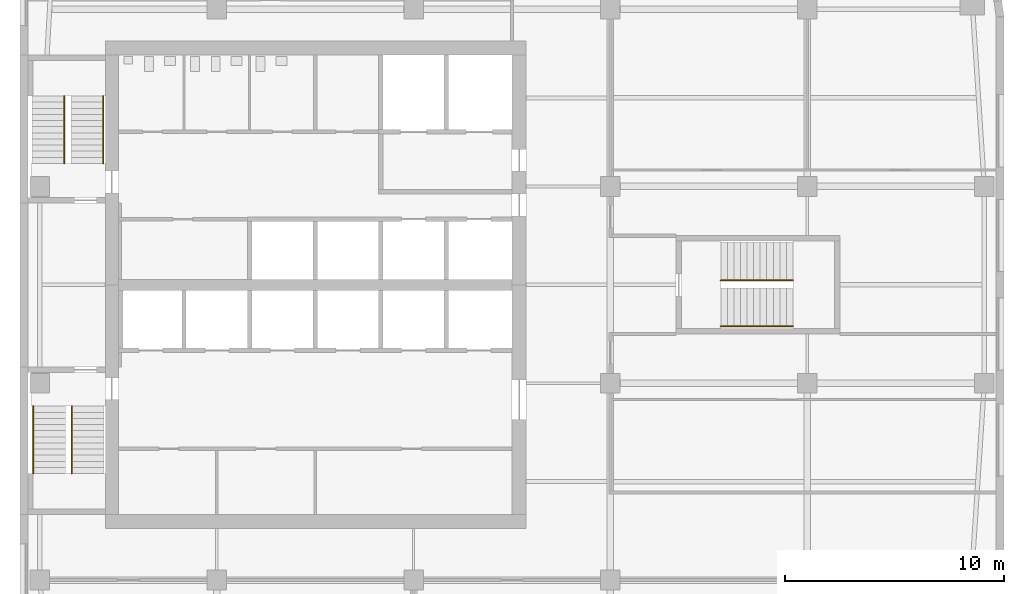
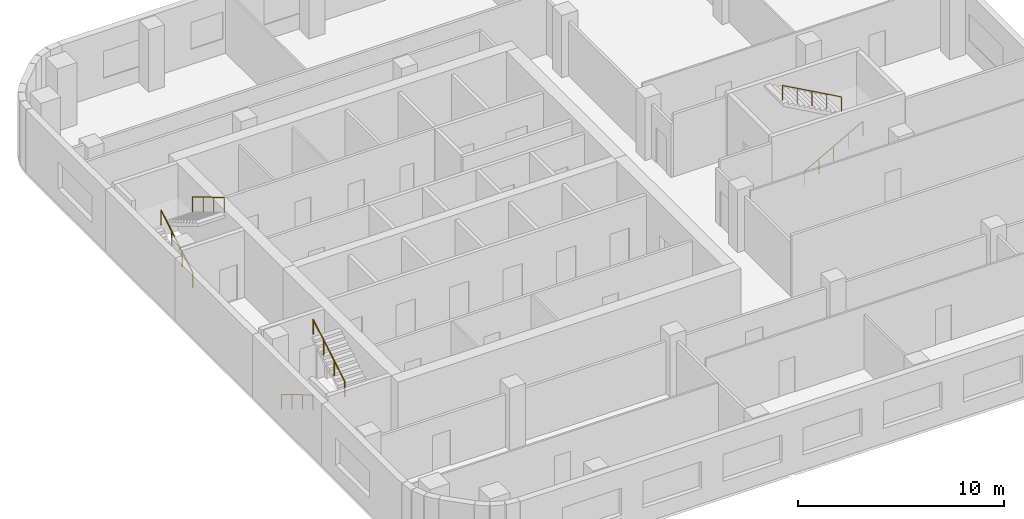
# One storey, part 7 of 8: 6 railings, 3 elements without a shape of their own.
"""IFC4 building model written with IfcOpenShell, lengths in metres."""

from ifc_helpers import new_model, si_unit, direction, frame, origin, origin_2d, place, context, subcontext, project, spatial, circle, extrude, material, type_object, element, aggregate, save


model = new_model("IFC4")

# Units and contexts
model_context = context("Model", 3, precision=1e-05, world=origin(), true_north=direction((0.0, 1.0)))
body_context = subcontext(model_context, "Body", "Model", "MODEL_VIEW")
ifc_project = project(units=[si_unit("LENGTHUNIT", "METRE"), si_unit("AREAUNIT", "SQUARE_METRE"), si_unit("VOLUMEUNIT", "CUBIC_METRE"), si_unit("PLANEANGLEUNIT", "RADIAN"), si_unit("MASSUNIT", "GRAM", prefix="KILO")], contexts=[model_context])

# Site, building, storey
site_placement = place(None, origin())
site = spatial("IfcSite", under=ifc_project, at=site_placement, CompositionType="ELEMENT")
building_placement = place(site_placement, origin())
building = spatial("IfcBuilding", under=site, at=building_placement, Name="Cinnabar Reach Civic Tower", CompositionType="ELEMENT")
storey_placement = place(building_placement, frame((0.0, 0.0, 189.0)))
storey = spatial("IfcBuildingStorey", under=building, at=storey_placement, Name="L45", CompositionType="ELEMENT", Elevation=189.0)

# Stair, railings
ifc_material_1 = material(Name="Concrete C40/50", Category="concrete")
stair_type = type_object("IfcStairType", Name="T1 Exit stair, half-turn", PredefinedType="HALF_TURN_STAIR", material=ifc_material_1)
stair_1_placement = place(storey_placement, origin())
stair_1 = element("IfcStair", 1, at=stair_1_placement, inside=storey, type_object=stair_type, Name="Stair T1-S1", PredefinedType="HALF_TURN_STAIR")
ifc_material_2 = material(Name="Stainless steel tube", Category="steel")
railing_type = type_object("IfcRailingType", Name="T1 Stair handrail, stainless tube 48", PredefinedType="HANDRAIL", material=ifc_material_2)
railing_1_placement = place(storey_placement, frame((0.6, 25.95, 0.1667)))
railing_1 = element("IfcRailing", 2, at=railing_1_placement, type_object=railing_type, Name="T1-S1 handrail 1", PredefinedType="HANDRAIL", context=body_context, shape_type="SweptSolid", body=[
    extrude(circle(Radius=0.024, at=origin_2d()), frame((0.0, 0.0, 0.876), z_axis=(0.0, -0.859296971757, 0.511476992962), x_axis=(1.0, 0.0, 0.0)), (0.0, 0.0, 1.0), 3.5843),
    extrude(circle(Radius=0.021, at=origin_2d()), origin(), (0.0, 0.0, 1.0), 0.852),
    extrude(circle(Radius=0.021, at=origin_2d()), frame((0.0, -1.0267, 0.6111)), (0.0, 0.0, 1.0), 0.852),
    extrude(circle(Radius=0.021, at=origin_2d()), frame((0.0, -2.0533, 1.2222)), (0.0, 0.0, 1.0), 0.852),
    extrude(circle(Radius=0.021, at=origin_2d()), frame((0.0, -3.08, 1.8333)), (0.0, 0.0, 1.0), 0.852),
])
railing_2_placement = place(storey_placement, frame((2.375, 22.87, 2.1667)))
railing_2 = element("IfcRailing", 3, at=railing_2_placement, type_object=railing_type, Name="T1-S1 handrail 2", PredefinedType="HANDRAIL", context=body_context, shape_type="SweptSolid", body=[
    extrude(circle(Radius=0.024, at=origin_2d()), frame((0.0, 0.0, 0.876), z_axis=(0.0, 0.859296971757, 0.511476992962), x_axis=(-1.0, 0.0, 0.0)), (0.0, 0.0, 1.0), 3.5843),
    extrude(circle(Radius=0.021, at=origin_2d()), origin(), (0.0, 0.0, 1.0), 0.852),
    extrude(circle(Radius=0.021, at=origin_2d()), frame((0.0, 1.0267, 0.6111)), (0.0, 0.0, 1.0), 0.852),
    extrude(circle(Radius=0.021, at=origin_2d()), frame((0.0, 2.0533, 1.2222)), (0.0, 0.0, 1.0), 0.852),
    extrude(circle(Radius=0.021, at=origin_2d()), frame((0.0, 3.08, 1.8333)), (0.0, 0.0, 1.0), 0.852),
])
aggregate(stair_1, [railing_1, railing_2])

stair_2_placement = place(storey_placement, origin())
stair_2 = element("IfcStair", 4, at=stair_2_placement, inside=storey, type_object=stair_type, Name="Stair T1-S2", PredefinedType="HALF_TURN_STAIR")
railing_3_placement = place(storey_placement, frame((2.025, 37.05, 0.1667)))
railing_3 = element("IfcRailing", 5, at=railing_3_placement, type_object=railing_type, Name="T1-S2 handrail 1", PredefinedType="HANDRAIL", context=body_context, shape_type="SweptSolid", body=[
    extrude(circle(Radius=0.024, at=origin_2d()), frame((0.0, 0.0, 0.876), z_axis=(0.0, 0.859296971757, 0.511476992962), x_axis=(-1.0, 0.0, 0.0)), (0.0, 0.0, 1.0), 3.5843),
    extrude(circle(Radius=0.021, at=origin_2d()), origin(), (0.0, 0.0, 1.0), 0.852),
    extrude(circle(Radius=0.021, at=origin_2d()), frame((0.0, 1.0267, 0.6111)), (0.0, 0.0, 1.0), 0.852),
    extrude(circle(Radius=0.021, at=origin_2d()), frame((0.0, 2.0533, 1.2222)), (0.0, 0.0, 1.0), 0.852),
    extrude(circle(Radius=0.021, at=origin_2d()), frame((0.0, 3.08, 1.8333)), (0.0, 0.0, 1.0), 0.852),
])
railing_4_placement = place(storey_placement, frame((3.8, 40.13, 2.1667)))
railing_4 = element("IfcRailing", 6, at=railing_4_placement, type_object=railing_type, Name="T1-S2 handrail 2", PredefinedType="HANDRAIL", context=body_context, shape_type="SweptSolid", body=[
    extrude(circle(Radius=0.024, at=origin_2d()), frame((0.0, 0.0, 0.876), z_axis=(0.0, -0.859296971757, 0.511476992962), x_axis=(1.0, 0.0, 0.0)), (0.0, 0.0, 1.0), 3.5843),
    extrude(circle(Radius=0.021, at=origin_2d()), origin(), (0.0, 0.0, 1.0), 0.852),
    extrude(circle(Radius=0.021, at=origin_2d()), frame((0.0, -1.0267, 0.6111)), (0.0, 0.0, 1.0), 0.852),
    extrude(circle(Radius=0.021, at=origin_2d()), frame((0.0, -2.0533, 1.2222)), (0.0, 0.0, 1.0), 0.852),
    extrude(circle(Radius=0.021, at=origin_2d()), frame((0.0, -3.08, 1.8333)), (0.0, 0.0, 1.0), 0.852),
])
aggregate(stair_2, [railing_3, railing_4])

stair_3_placement = place(storey_placement, origin())
stair_3 = element("IfcStair", 7, at=stair_3_placement, inside=storey, type_object=stair_type, Name="Stair T1-S3", PredefinedType="HALF_TURN_STAIR")
railing_5_placement = place(storey_placement, frame((32.05, 29.6, 0.1667)))
railing_5 = element("IfcRailing", 8, at=railing_5_placement, type_object=railing_type, Name="T1-S3 handrail 1", PredefinedType="HANDRAIL", context=body_context, shape_type="SweptSolid", body=[
    extrude(circle(Radius=0.024, at=origin_2d()), frame((0.0, 0.0, 0.876), z_axis=(0.874161024642, 0.0, 0.485636183781), x_axis=(0.0, 1.0, 0.0)), (0.0, 0.0, 1.0), 3.775),
    extrude(circle(Radius=0.021, at=origin_2d()), origin(), (0.0, 0.0, 1.0), 0.852),
    extrude(circle(Radius=0.021, at=origin_2d()), frame((0.825, 0.0, 0.4583)), (0.0, 0.0, 1.0), 0.852),
    extrude(circle(Radius=0.021, at=origin_2d()), frame((1.65, 0.0, 0.9167)), (0.0, 0.0, 1.0), 0.852),
    extrude(circle(Radius=0.021, at=origin_2d()), frame((2.475, 0.0, 1.375)), (0.0, 0.0, 1.0), 0.852),
    extrude(circle(Radius=0.021, at=origin_2d()), frame((3.3, 0.0, 1.8333)), (0.0, 0.0, 1.0), 0.852),
])
railing_6_placement = place(storey_placement, frame((35.35, 31.7, 2.1667)))
railing_6 = element("IfcRailing", 9, at=railing_6_placement, type_object=railing_type, Name="T1-S3 handrail 2", PredefinedType="HANDRAIL", context=body_context, shape_type="SweptSolid", body=[
    extrude(circle(Radius=0.024, at=origin_2d()), frame((0.0, 0.0, 0.876), z_axis=(-0.874161024642, 0.0, 0.485636183781), x_axis=(0.0, -1.0, 0.0)), (0.0, 0.0, 1.0), 3.775),
    extrude(circle(Radius=0.021, at=origin_2d()), origin(), (0.0, 0.0, 1.0), 0.852),
    extrude(circle(Radius=0.021, at=origin_2d()), frame((-0.825, 0.0, 0.4583)), (0.0, 0.0, 1.0), 0.852),
    extrude(circle(Radius=0.021, at=origin_2d()), frame((-1.65, 0.0, 0.9167)), (0.0, 0.0, 1.0), 0.852),
    extrude(circle(Radius=0.021, at=origin_2d()), frame((-2.475, 0.0, 1.375)), (0.0, 0.0, 1.0), 0.852),
    extrude(circle(Radius=0.021, at=origin_2d()), frame((-3.3, 0.0, 1.8333)), (0.0, 0.0, 1.0), 0.852),
])
aggregate(stair_3, [railing_5, railing_6])

save(model, "model.ifc")
